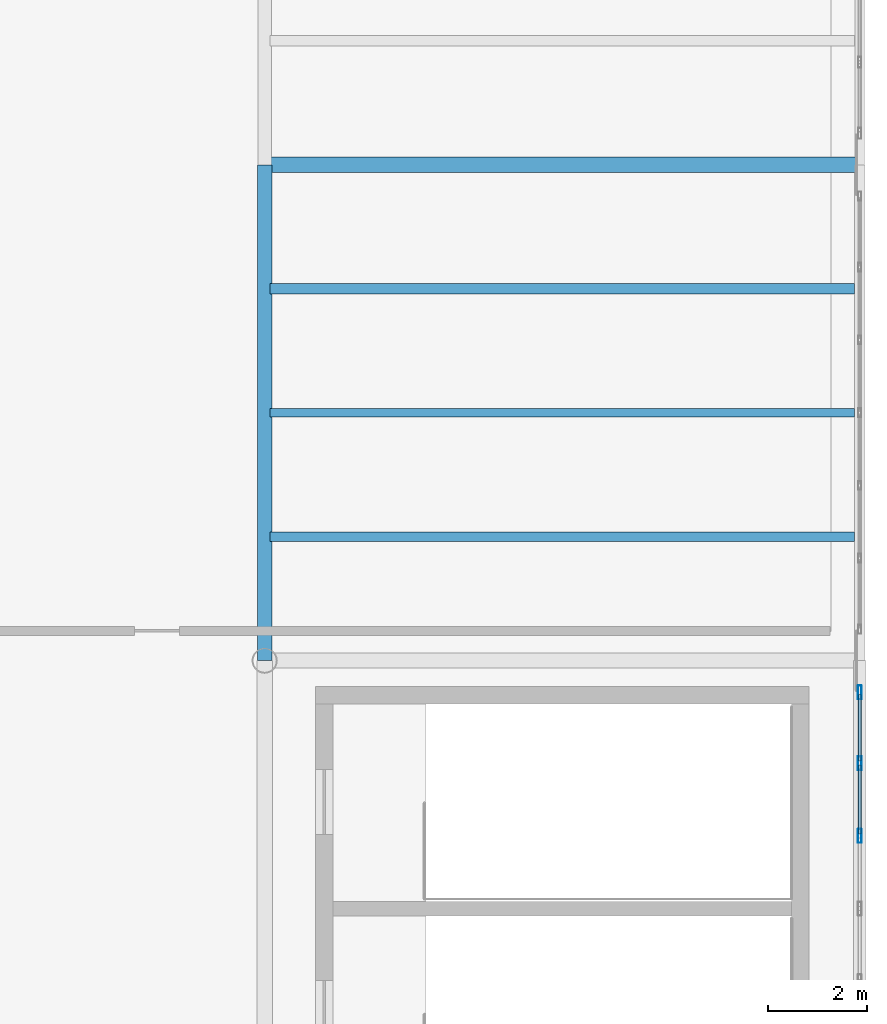
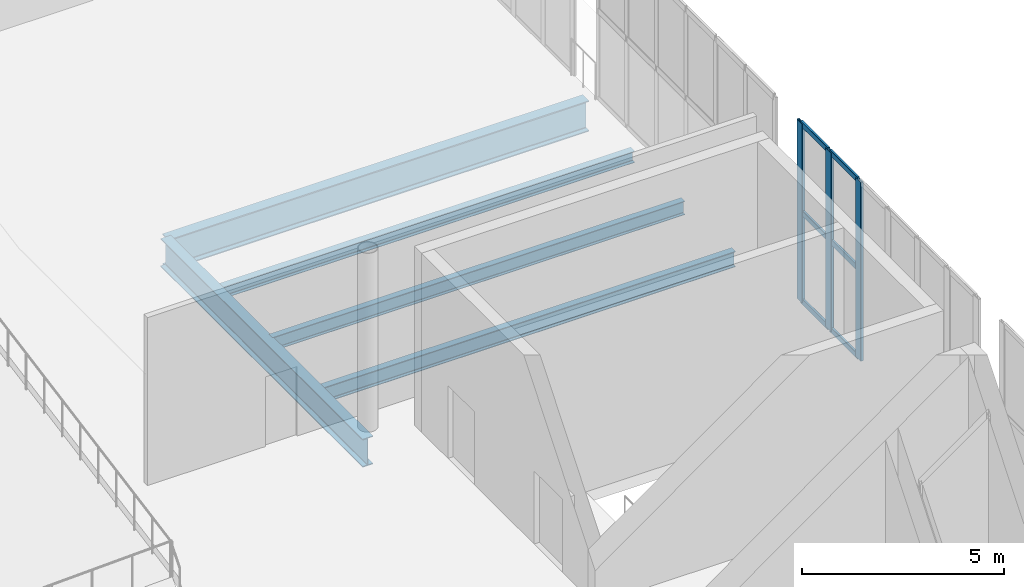
# One storey, part 33 of 74: 9 members, 5 beams, 1 element without a shape of its own.
"""IFC4 building model written with IfcOpenShell, lengths in metres."""

from ifc_helpers import new_model, si_unit, direction, frame, origin, origin_2d, place, context, subcontext, project, spatial, hollow_rectangle, i_section, extrude, material, layer, layer_set, material_profile, profile_set, type_object, element, aggregate, save


model = new_model("IFC4")

# Units and contexts
model_context = context("Model", 3, precision=1e-05, world=origin(), true_north=direction((0.0, 1.0)))
body_context = subcontext(model_context, "Body", "Model", "MODEL_VIEW")
ifc_project = project(units=[si_unit("LENGTHUNIT", "METRE"), si_unit("AREAUNIT", "SQUARE_METRE"), si_unit("VOLUMEUNIT", "CUBIC_METRE"), si_unit("PLANEANGLEUNIT", "RADIAN"), si_unit("MASSUNIT", "GRAM", prefix="KILO")], contexts=[model_context])

# Site, building, storey
site_placement = place(None, origin())
site = spatial("IfcSite", under=ifc_project, at=site_placement, CompositionType="ELEMENT")
building_placement = place(site_placement, origin())
building = spatial("IfcBuilding", under=site, at=building_placement, Name="Brinegate Civic Arena", CompositionType="ELEMENT")
storey_placement = place(building_placement, frame((0.0, 0.0, 19.199951171875)))
storey = spatial("IfcBuildingStorey", under=building, at=storey_placement, Name="L04", CompositionType="ELEMENT", Elevation=19.199951171875)

# Curtain wall, members
ifc_material_1 = material(Name="Marine grade aluminium", Category="aluminium")
ifc_layer = layer(ifc_material_1, 0.199951171875, Name="Marine grade aluminium")
ifc_layer_set = layer_set([ifc_layer], Name="Marine grade aluminium")
curtain_wall_type = type_object("IfcCurtainWallType", Name="CW-BOWL-GLAZED-01", PredefinedType="USERDEFINED", material=ifc_layer_set)
curtain_wall_placement = place(storey_placement, origin())
curtain_wall = element("IfcCurtainWall", 1, at=curtain_wall_placement, inside=storey, type_object=curtain_wall_type, Name="Curtain Wall CWA-137", ObjectType="GLAZED CURTAIN WALL", PredefinedType="USERDEFINED")
ifc_material_profile_1 = material_profile(ifc_material_1, hollow_rectangle(XDim=0.080078125, YDim=0.280029296875, WallThickness=0.007080078125, InnerFilletRadius=0.0048828125, OuterFilletRadius=0.010009765625, at=origin_2d()), Name="MUL80X280")
ifc_profile_set_1 = profile_set([ifc_material_profile_1], Name="Marine grade aluminium")
member_type_1 = type_object("IfcMemberType", Name="CW-MULLION-80X280", PredefinedType="MULLION", material=ifc_profile_set_1)
member_1_placement = place(storey_placement, frame((168.0, 48.466552734375, 0.0), z_axis=(0.0, 0.0, 1.0), x_axis=(-1.0, 0.0, 0.0)))
member_1 = element("IfcMember", 2, at=member_1_placement, type_object=member_type_1, Name="CWA-137 mullion 5", PredefinedType="MULLION", context=body_context, shape_type="SweptSolid", body=[
    extrude(hollow_rectangle(XDim=0.080078125, YDim=0.280029296875, WallThickness=0.007080078125, InnerFilletRadius=0.0048828125, OuterFilletRadius=0.010009765625, at=origin_2d()), origin(), (0.0, 0.0, 1.0), 5.400146484375),
])
member_2_placement = place(storey_placement, frame((168.0, 49.933349609375, 0.0), z_axis=(0.0, 0.0, 1.0), x_axis=(-1.0, 0.0, 0.0)))
member_2 = element("IfcMember", 3, at=member_2_placement, type_object=member_type_1, Name="CWA-137 mullion 6", PredefinedType="MULLION", context=body_context, shape_type="SweptSolid", body=[
    extrude(hollow_rectangle(XDim=0.080078125, YDim=0.280029296875, WallThickness=0.007080078125, InnerFilletRadius=0.0048828125, OuterFilletRadius=0.010009765625, at=origin_2d()), origin(), (0.0, 0.0, 1.0), 5.400146484375),
])
member_3_placement = place(storey_placement, frame((168.0, 51.360107421875, 0.0), z_axis=(0.0, 0.0, 1.0), x_axis=(-1.0, 0.0, 0.0)))
member_3 = element("IfcMember", 4, at=member_3_placement, type_object=member_type_1, Name="CWA-137 mullion 7", PredefinedType="MULLION", context=body_context, shape_type="SweptSolid", body=[
    extrude(hollow_rectangle(XDim=0.080078125, YDim=0.280029296875, WallThickness=0.007080078125, InnerFilletRadius=0.0048828125, OuterFilletRadius=0.010009765625, at=origin_2d()), origin(), (0.0, 0.0, 1.0), 5.400146484375),
])
ifc_material_profile_2 = material_profile(ifc_material_1, hollow_rectangle(XDim=0.06494140625, YDim=0.1650390625, WallThickness=0.0048828125, InnerFilletRadius=0.00390625, OuterFilletRadius=0.008056640625, at=origin_2d()), Name="TRN65X165")
ifc_profile_set_2 = profile_set([ifc_material_profile_2], Name="Marine grade aluminium")
member_type_2 = type_object("IfcMemberType", Name="CW-TRANSOM-65X165", PredefinedType="USERDEFINED", material=ifc_profile_set_2)
member_4_placement = place(storey_placement, frame((168.0, 48.506591796875, 0.032470703125), z_axis=(0.0, 1.0, 0.0), x_axis=(-1.0, 0.0, 0.0)))
member_4 = element("IfcMember", 5, at=member_4_placement, type_object=member_type_2, Name="CWA-137 transom 5.1", ObjectType="TRANSOM", PredefinedType="USERDEFINED", context=body_context, shape_type="SweptSolid", body=[
    extrude(hollow_rectangle(XDim=0.06494140625, YDim=0.1650390625, WallThickness=0.0048828125, InnerFilletRadius=0.00390625, OuterFilletRadius=0.008056640625, at=origin_2d()), origin(), (0.0, 0.0, 1.0), 1.38671875),
])
member_5_placement = place(storey_placement, frame((168.0, 48.506591796875, 2.699951171875), z_axis=(0.0, 1.0, 0.0), x_axis=(-1.0, 0.0, 0.0)))
member_5 = element("IfcMember", 6, at=member_5_placement, type_object=member_type_2, Name="CWA-137 transom 5.2", ObjectType="TRANSOM", PredefinedType="USERDEFINED", context=body_context, shape_type="SweptSolid", body=[
    extrude(hollow_rectangle(XDim=0.06494140625, YDim=0.1650390625, WallThickness=0.0048828125, InnerFilletRadius=0.00390625, OuterFilletRadius=0.008056640625, at=origin_2d()), origin(), (0.0, 0.0, 1.0), 1.38671875),
])
member_6_placement = place(storey_placement, frame((168.0, 48.506591796875, 5.367431640625), z_axis=(0.0, 1.0, 0.0), x_axis=(-1.0, 0.0, 0.0)))
member_6 = element("IfcMember", 7, at=member_6_placement, type_object=member_type_2, Name="CWA-137 transom 5.3", ObjectType="TRANSOM", PredefinedType="USERDEFINED", context=body_context, shape_type="SweptSolid", body=[
    extrude(hollow_rectangle(XDim=0.06494140625, YDim=0.1650390625, WallThickness=0.0048828125, InnerFilletRadius=0.00390625, OuterFilletRadius=0.008056640625, at=origin_2d()), origin(), (0.0, 0.0, 1.0), 1.38671875),
])
member_7_placement = place(storey_placement, frame((168.0, 49.973388671875, 0.032470703125), z_axis=(0.0, 1.0, 0.0), x_axis=(-1.0, 0.0, 0.0)))
member_7 = element("IfcMember", 8, at=member_7_placement, type_object=member_type_2, Name="CWA-137 transom 6.1", ObjectType="TRANSOM", PredefinedType="USERDEFINED", context=body_context, shape_type="SweptSolid", body=[
    extrude(hollow_rectangle(XDim=0.06494140625, YDim=0.1650390625, WallThickness=0.0048828125, InnerFilletRadius=0.00390625, OuterFilletRadius=0.008056640625, at=origin_2d()), origin(), (0.0, 0.0, 1.0), 1.3466796875),
])
member_8_placement = place(storey_placement, frame((168.0, 49.973388671875, 2.699951171875), z_axis=(0.0, 1.0, 0.0), x_axis=(-1.0, 0.0, 0.0)))
member_8 = element("IfcMember", 9, at=member_8_placement, type_object=member_type_2, Name="CWA-137 transom 6.2", ObjectType="TRANSOM", PredefinedType="USERDEFINED", context=body_context, shape_type="SweptSolid", body=[
    extrude(hollow_rectangle(XDim=0.06494140625, YDim=0.1650390625, WallThickness=0.0048828125, InnerFilletRadius=0.00390625, OuterFilletRadius=0.008056640625, at=origin_2d()), origin(), (0.0, 0.0, 1.0), 1.3466796875),
])
member_9_placement = place(storey_placement, frame((168.0, 49.973388671875, 5.367431640625), z_axis=(0.0, 1.0, 0.0), x_axis=(-1.0, 0.0, 0.0)))
member_9 = element("IfcMember", 10, at=member_9_placement, type_object=member_type_2, Name="CWA-137 transom 6.3", ObjectType="TRANSOM", PredefinedType="USERDEFINED", context=body_context, shape_type="SweptSolid", body=[
    extrude(hollow_rectangle(XDim=0.06494140625, YDim=0.1650390625, WallThickness=0.0048828125, InnerFilletRadius=0.00390625, OuterFilletRadius=0.008056640625, at=origin_2d()), origin(), (0.0, 0.0, 1.0), 1.3466796875),
])
aggregate(curtain_wall, [member_1, member_2, member_3, member_4, member_5, member_6, member_7, member_8, member_9])

# Beams
ifc_material_2 = material(Name="Steel S355", Category="steel")
ifc_material_profile_3 = material_profile(ifc_material_2, i_section(OverallWidth=0.2939453125, OverallDepth=0.85107421875, WebThickness=0.01611328125, FlangeThickness=0.027099609375, FilletRadius=0.02197265625, at=origin_2d()), Name="W840X226")
ifc_profile_set_3 = profile_set([ifc_material_profile_3], Name="Steel S355")
beam_type_1 = type_object("IfcBeamType", Name="GIRDER-W840X226", PredefinedType="BEAM", material=ifc_profile_set_3)
beam_1_placement = place(storey_placement, frame((156.0, 52.0, -0.764892578125), z_axis=(0.0, 1.0, 0.0), x_axis=(-1.0, 0.0, 0.0)))
element("IfcBeam", 11, at=beam_1_placement, inside=storey, type_object=beam_type_1, Name="Floor Girder BM-L04-GY-13-05", PredefinedType="BEAM", context=body_context, shape_type="SweptSolid", body=[
    extrude(i_section(OverallWidth=0.2939453125, OverallDepth=0.85107421875, WebThickness=0.01611328125, FlangeThickness=0.027099609375, FilletRadius=0.02197265625, at=origin_2d()), origin(), (0.0, 0.0, 1.0), 10.0),
])
ifc_material_profile_4 = material_profile(ifc_material_2, i_section(OverallWidth=0.30810546875, OverallDepth=0.927001953125, WebThickness=0.01904296875, FlangeThickness=0.031982421875, FilletRadius=0.02392578125, at=origin_2d()), Name="W920X289")
ifc_profile_set_4 = profile_set([ifc_material_profile_4], Name="Steel S355")
beam_type_2 = type_object("IfcBeamType", Name="GIRDER-W920X289", PredefinedType="BEAM", material=ifc_profile_set_4)
beam_2_placement = place(storey_placement, frame((156.0, 62.0, -0.802978515625), z_axis=(1.0, 0.0, 0.0), x_axis=(0.0, 1.0, 0.0)))
element("IfcBeam", 12, at=beam_2_placement, inside=storey, type_object=beam_type_2, Name="Floor Girder BM-L04-GX-13-06", PredefinedType="BEAM", context=body_context, shape_type="SweptSolid", body=[
    extrude(i_section(OverallWidth=0.30810546875, OverallDepth=0.927001953125, WebThickness=0.01904296875, FlangeThickness=0.031982421875, FilletRadius=0.02392578125, at=origin_2d()), origin(), (0.0, 0.0, 1.0), 12.0),
])
ifc_material_profile_5 = material_profile(ifc_material_2, i_section(OverallWidth=0.202880859375, OverallDepth=0.346923828125, WebThickness=0.008056640625, FlangeThickness=0.013916015625, FilletRadius=0.013916015625, at=origin_2d()), Name="W360X64")
ifc_profile_set_5 = profile_set([ifc_material_profile_5], Name="Steel S355")
beam_type_3 = type_object("IfcBeamType", Name="JOIST-W360X64", PredefinedType="JOIST", material=ifc_profile_set_5)
beam_3_placement = place(storey_placement, frame((156.10595703125, 59.5, -0.512939453125), z_axis=(1.0, 0.0, 0.0), x_axis=(0.0, 1.0, 0.0)))
element("IfcBeam", 13, at=beam_3_placement, inside=storey, type_object=beam_type_3, Name="Secondary Joist BM-L04-JX-13-05-3", PredefinedType="JOIST", context=body_context, shape_type="SweptSolid", body=[
    extrude(i_section(OverallWidth=0.202880859375, OverallDepth=0.346923828125, WebThickness=0.008056640625, FlangeThickness=0.013916015625, FilletRadius=0.013916015625, at=origin_2d()), origin(), (0.0, 0.0, 1.0), 11.7880859375),
])
ifc_material_profile_6 = material_profile(ifc_material_2, i_section(OverallWidth=0.179931640625, OverallDepth=0.4130859375, WebThickness=0.010009765625, FlangeThickness=0.01611328125, FilletRadius=0.013916015625, at=origin_2d()), Name="W410X75")
ifc_profile_set_6 = profile_set([ifc_material_profile_6], Name="Steel S355")
beam_type_4 = type_object("IfcBeamType", Name="JOIST-W410X75", PredefinedType="JOIST", material=ifc_profile_set_6)
beam_4_placement = place(storey_placement, frame((156.10595703125, 57.0, -0.5458984375), z_axis=(1.0, 0.0, 0.0), x_axis=(0.0, 1.0, 0.0)))
element("IfcBeam", 14, at=beam_4_placement, inside=storey, type_object=beam_type_4, Name="Secondary Joist BM-L04-JX-13-05-2", PredefinedType="JOIST", context=body_context, shape_type="SweptSolid", body=[
    extrude(i_section(OverallWidth=0.179931640625, OverallDepth=0.4130859375, WebThickness=0.010009765625, FlangeThickness=0.01611328125, FilletRadius=0.013916015625, at=origin_2d()), origin(), (0.0, 0.0, 1.0), 11.7880859375),
])
ifc_material_profile_7 = material_profile(ifc_material_2, i_section(OverallWidth=0.193115234375, OverallDepth=0.466064453125, WebThickness=0.010986328125, FlangeThickness=0.01904296875, FilletRadius=0.014892578125, at=origin_2d()), Name="W460X97")
ifc_profile_set_7 = profile_set([ifc_material_profile_7], Name="Steel S355")
beam_type_5 = type_object("IfcBeamType", Name="JOIST-W460X97", PredefinedType="JOIST", material=ifc_profile_set_7)
beam_5_placement = place(storey_placement, frame((156.10595703125, 54.5, -0.572998046875), z_axis=(1.0, 0.0, 0.0), x_axis=(0.0, 1.0, 0.0)))
element("IfcBeam", 15, at=beam_5_placement, inside=storey, type_object=beam_type_5, Name="Secondary Joist BM-L04-JX-13-05-1", PredefinedType="JOIST", context=body_context, shape_type="SweptSolid", body=[
    extrude(i_section(OverallWidth=0.193115234375, OverallDepth=0.466064453125, WebThickness=0.010986328125, FlangeThickness=0.01904296875, FilletRadius=0.014892578125, at=origin_2d()), origin(), (0.0, 0.0, 1.0), 11.7880859375),
])

save(model, "model.ifc")
